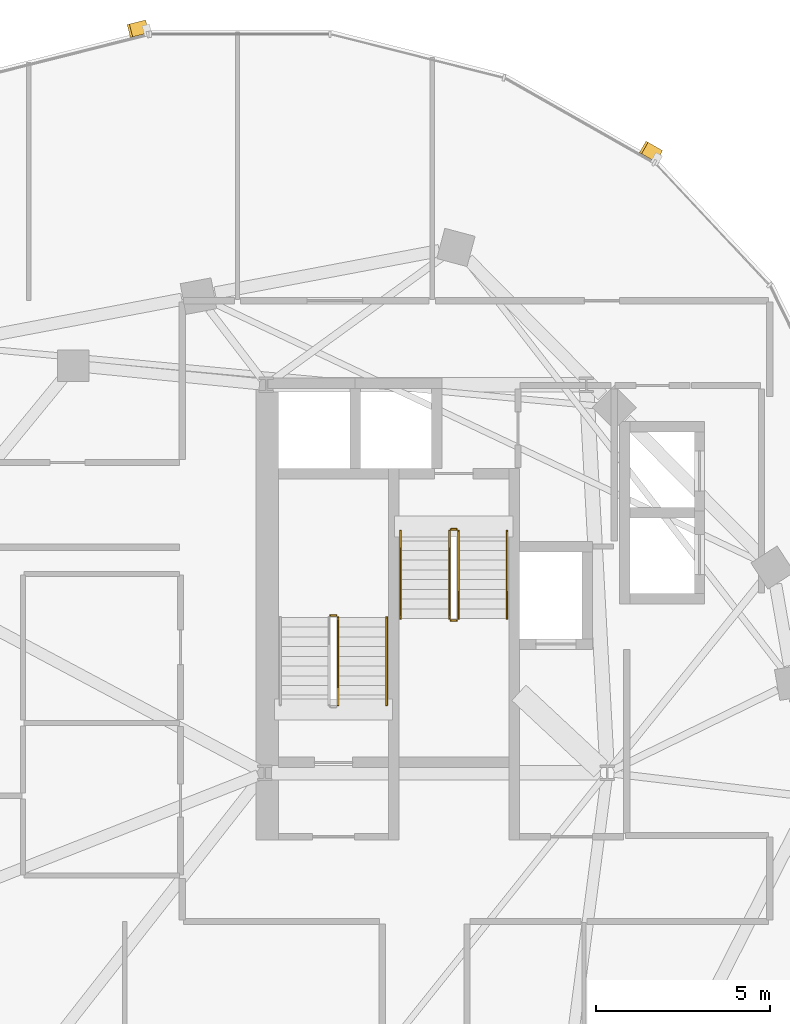
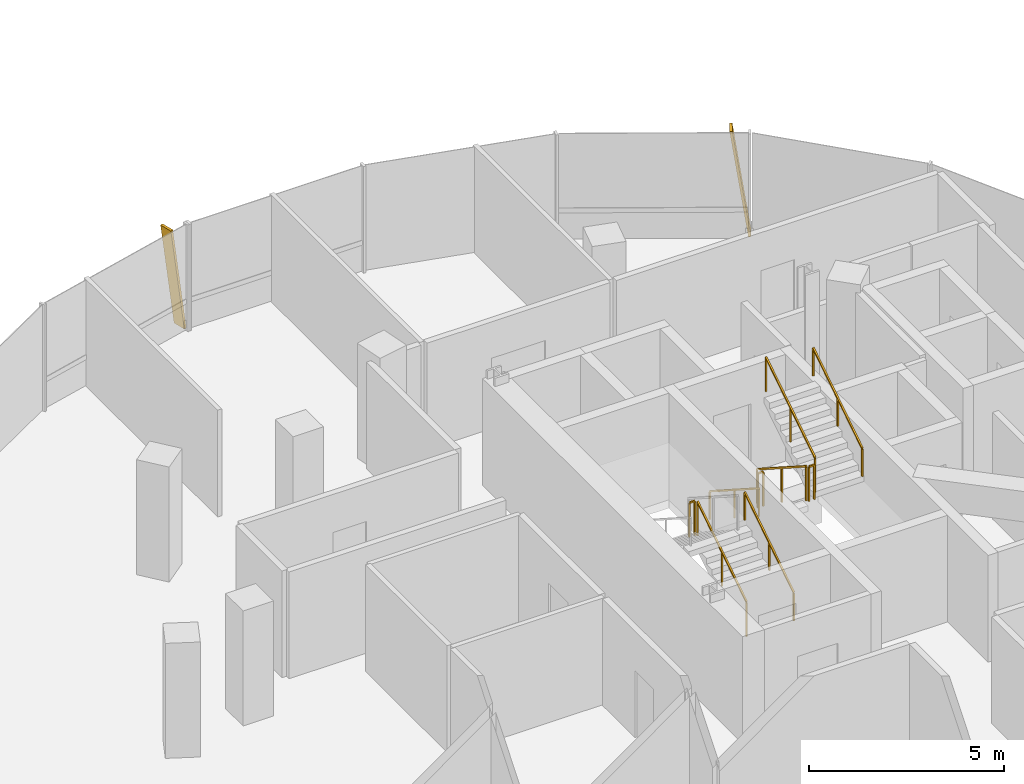
# One storey, part 23 of 25: 9 railings, 2 shading devices.
"""IFC4 building model written with IfcOpenShell, lengths in metres."""

from ifc_helpers import new_model, si_unit, direction, frame, origin, origin_2d, place, context, subcontext, project, spatial, rectangle, extrude, material, material_profile, profile_set, type_object, element, save


model = new_model("IFC4")

# Units and contexts
model_context = context("Model", 3, precision=1e-05, world=origin(), true_north=direction((0.0, 1.0)))
body_context = subcontext(model_context, "Body", "Model", "MODEL_VIEW")
ifc_project = project(units=[si_unit("LENGTHUNIT", "METRE"), si_unit("AREAUNIT", "SQUARE_METRE"), si_unit("VOLUMEUNIT", "CUBIC_METRE"), si_unit("PLANEANGLEUNIT", "RADIAN"), si_unit("MASSUNIT", "GRAM", prefix="KILO"), si_unit("THERMODYNAMICTEMPERATUREUNIT", "KELVIN"), si_unit("POWERUNIT", "WATT")], contexts=[model_context])

# Site, building, storey
site_placement = place(None, origin())
site = spatial("IfcSite", under=ifc_project, at=site_placement, CompositionType="ELEMENT")
building_placement = place(site_placement, origin())
building = spatial("IfcBuilding", under=site, at=building_placement, Name="Cundina Bronze Exchange", CompositionType="ELEMENT")
storey_placement = place(building_placement, frame((0.0, 0.0, 191.800048828125)))
storey = spatial("IfcBuildingStorey", under=building, at=storey_placement, Name="L50", CompositionType="ELEMENT", Elevation=191.800048828125)

# Railings
ifc_material_1 = material(Name="Steel ASTM A36 Painted", Category="steel")
railing_type_1 = type_object("IfcRailingType", Name="RLG-HND-900", PredefinedType="HANDRAIL", material=ifc_material_1)
railing_1_placement = place(storey_placement, frame((-27.7900390625, 5.85009765625, 0.179931640625)))
element("IfcRailing", 1, at=railing_1_placement, inside=storey, type_object=railing_type_1, Name="L50 ST-W1 stair handrail 1", PredefinedType="HANDRAIL", context=body_context, shape_type="SweptSolid", body=[
    extrude(rectangle(XDim=0.048095703125, YDim=0.048095703125, at=origin_2d()), frame((0.0, 0.0, 0.8759765625), z_axis=(0.0, 0.841162588446, 0.540782303519), x_axis=(-1.0, 0.0, 0.0)), (0.0, 0.0, 1.0), 2.995849609375),
    extrude(rectangle(XDim=0.0419921875, YDim=0.0419921875, at=origin_2d()), origin(), (0.0, 0.0, 1.0), 0.851806640625),
    extrude(rectangle(XDim=0.0419921875, YDim=0.0419921875, at=origin_2d()), frame((0.0, 1.260009765625, 0.81005859375)), (0.0, 0.0, 1.0), 0.851806640625),
    extrude(rectangle(XDim=0.0419921875, YDim=0.0419921875, at=origin_2d()), frame((0.0, 2.52001953125, 1.6201171875)), (0.0, 0.0, 1.0), 0.851806640625),
])
railing_2_placement = place(storey_placement, frame((-27.389892578125, 10.85009765625, 0.179931640625)))
element("IfcRailing", 2, at=railing_2_placement, inside=storey, type_object=railing_type_1, Name="L50 ST-W2 stair handrail 1", PredefinedType="HANDRAIL", context=body_context, shape_type="SweptSolid", body=[
    extrude(rectangle(XDim=0.048095703125, YDim=0.048095703125, at=origin_2d()), frame((0.0, 0.0, 0.8759765625), z_axis=(0.0, -0.841162588446, 0.540782303519), x_axis=(1.0, 0.0, 0.0)), (0.0, 0.0, 1.0), 2.995849609375),
    extrude(rectangle(XDim=0.0419921875, YDim=0.0419921875, at=origin_2d()), origin(), (0.0, 0.0, 1.0), 0.851806640625),
    extrude(rectangle(XDim=0.0419921875, YDim=0.0419921875, at=origin_2d()), frame((0.0, -1.260009765625, 0.81005859375)), (0.0, 0.0, 1.0), 0.851806640625),
    extrude(rectangle(XDim=0.0419921875, YDim=0.0419921875, at=origin_2d()), frame((0.0, -2.52001953125, 1.6201171875)), (0.0, 0.0, 1.0), 0.851806640625),
])
railing_3_placement = place(storey_placement, frame((-24.330078125, 8.330078125, 1.97998046875)))
element("IfcRailing", 3, at=railing_3_placement, inside=storey, type_object=railing_type_1, Name="L50 ST-W2 stair handrail 2", PredefinedType="HANDRAIL", context=body_context, shape_type="SweptSolid", body=[
    extrude(rectangle(XDim=0.048095703125, YDim=0.048095703125, at=origin_2d()), frame((0.0, 0.0, 0.8759765625), z_axis=(0.0, 0.841199657755, 0.540724639528), x_axis=(-1.0, 0.0, 0.0)), (0.0, 0.0, 1.0), 2.995849609375),
    extrude(rectangle(XDim=0.0419921875, YDim=0.0419921875, at=origin_2d()), origin(), (0.0, 0.0, 1.0), 0.851806640625),
    extrude(rectangle(XDim=0.0419921875, YDim=0.0419921875, at=origin_2d()), frame((0.0, 1.260009765625, 0.81005859375)), (0.0, 0.0, 1.0), 0.851806640625),
    extrude(rectangle(XDim=0.0419921875, YDim=0.0419921875, at=origin_2d()), frame((0.0, 2.52001953125, 1.619873046875)), (0.0, 0.0, 1.0), 0.851806640625),
])
railing_type_2 = type_object("IfcRailingType", Name="RLG-STG-1100", PredefinedType="GUARDRAIL", material=ifc_material_1)
railing_4_placement = place(storey_placement, frame((-29.18994140625, 5.85009765625, 0.179931640625)))
element("IfcRailing", 4, at=railing_4_placement, inside=storey, type_object=railing_type_2, Name="L50 ST-W1 stair guard 1", PredefinedType="GUARDRAIL", context=body_context, shape_type="SweptSolid", body=[
    extrude(rectangle(XDim=0.048095703125, YDim=0.048095703125, at=origin_2d()), frame((0.0, 0.0, 1.076171875), z_axis=(0.0, 0.841162588446, 0.540782303519), x_axis=(-1.0, 0.0, 0.0)), (0.0, 0.0, 1.0), 2.995849609375),
    extrude(rectangle(XDim=0.0419921875, YDim=0.0419921875, at=origin_2d()), origin(), (0.0, 0.0, 1.0), 1.052001953125),
    extrude(rectangle(XDim=0.0419921875, YDim=0.0419921875, at=origin_2d()), frame((0.0, 1.260009765625, 0.81005859375)), (0.0, 0.0, 1.0), 1.052001953125),
    extrude(rectangle(XDim=0.0419921875, YDim=0.0419921875, at=origin_2d()), frame((0.0, 2.52001953125, 1.6201171875)), (0.0, 0.0, 1.0), 1.052001953125),
])
railing_5_placement = place(storey_placement, frame((-29.239990234375, 8.419921875, 1.800048828125)))
element("IfcRailing", 5, at=railing_5_placement, inside=storey, type_object=railing_type_2, Name="L50 ST-W1 stair guard 2", PredefinedType="GUARDRAIL", context=body_context, shape_type="SweptSolid", body=[
    extrude(rectangle(XDim=0.048095703125, YDim=0.048095703125, at=origin_2d()), frame((0.0, 0.0, 1.076171875), z_axis=(-1.0, 0.0, 0.0), x_axis=(0.0, -1.0, 0.0)), (0.0, 0.0, 1.0), 0.159912109375),
    extrude(rectangle(XDim=0.0419921875, YDim=0.0419921875, at=origin_2d()), origin(), (0.0, 0.0, 1.0), 1.052001953125),
    extrude(rectangle(XDim=0.0419921875, YDim=0.0419921875, at=origin_2d()), frame((-0.159912109375, 0.0, 0.0)), (0.0, 0.0, 1.0), 1.052001953125),
])
railing_6_placement = place(storey_placement, frame((-25.989990234375, 10.85009765625, 0.179931640625)))
element("IfcRailing", 6, at=railing_6_placement, inside=storey, type_object=railing_type_2, Name="L50 ST-W2 stair guard 1", PredefinedType="GUARDRAIL", context=body_context, shape_type="SweptSolid", body=[
    extrude(rectangle(XDim=0.048095703125, YDim=0.048095703125, at=origin_2d()), frame((0.0, 0.0, 1.076171875), z_axis=(0.0, -0.841162588446, 0.540782303519), x_axis=(1.0, 0.0, 0.0)), (0.0, 0.0, 1.0), 2.995849609375),
    extrude(rectangle(XDim=0.0419921875, YDim=0.0419921875, at=origin_2d()), origin(), (0.0, 0.0, 1.0), 1.052001953125),
    extrude(rectangle(XDim=0.0419921875, YDim=0.0419921875, at=origin_2d()), frame((0.0, -1.260009765625, 0.81005859375)), (0.0, 0.0, 1.0), 1.052001953125),
    extrude(rectangle(XDim=0.0419921875, YDim=0.0419921875, at=origin_2d()), frame((0.0, -2.52001953125, 1.6201171875)), (0.0, 0.0, 1.0), 1.052001953125),
])
railing_7_placement = place(storey_placement, frame((-25.93994140625, 8.280029296875, 1.800048828125)))
element("IfcRailing", 7, at=railing_7_placement, inside=storey, type_object=railing_type_2, Name="L50 ST-W2 stair guard 2", PredefinedType="GUARDRAIL", context=body_context, shape_type="SweptSolid", body=[
    extrude(rectangle(XDim=0.048095703125, YDim=0.048095703125, at=origin_2d()), frame((0.0, 0.0, 1.076171875), z_axis=(1.0, 0.0, 0.0), x_axis=(0.0, 1.0, 0.0)), (0.0, 0.0, 1.0), 0.159912109375),
    extrude(rectangle(XDim=0.0419921875, YDim=0.0419921875, at=origin_2d()), origin(), (0.0, 0.0, 1.0), 1.052001953125),
    extrude(rectangle(XDim=0.0419921875, YDim=0.0419921875, at=origin_2d()), frame((0.159912109375, 0.0, 0.0)), (0.0, 0.0, 1.0), 1.052001953125),
])
railing_8_placement = place(storey_placement, frame((-25.72998046875, 8.330078125, 1.97998046875)))
element("IfcRailing", 8, at=railing_8_placement, inside=storey, type_object=railing_type_2, Name="L50 ST-W2 stair guard 3", PredefinedType="GUARDRAIL", context=body_context, shape_type="SweptSolid", body=[
    extrude(rectangle(XDim=0.048095703125, YDim=0.048095703125, at=origin_2d()), frame((0.0, 0.0, 1.076171875), z_axis=(0.0, 0.841199657755, 0.540724639528), x_axis=(-1.0, 0.0, 0.0)), (0.0, 0.0, 1.0), 2.995849609375),
    extrude(rectangle(XDim=0.0419921875, YDim=0.0419921875, at=origin_2d()), origin(), (0.0, 0.0, 1.0), 1.052001953125),
    extrude(rectangle(XDim=0.0419921875, YDim=0.0419921875, at=origin_2d()), frame((0.0, 1.260009765625, 0.81005859375)), (0.0, 0.0, 1.0), 1.052001953125),
    extrude(rectangle(XDim=0.0419921875, YDim=0.0419921875, at=origin_2d()), frame((0.0, 2.52001953125, 1.619873046875)), (0.0, 0.0, 1.0), 1.052001953125),
])
railing_9_placement = place(storey_placement, frame((-25.93994140625, 10.89990234375, 0.0)))
element("IfcRailing", 9, at=railing_9_placement, inside=storey, type_object=railing_type_2, Name="L50 ST-W2 stair guard 4", PredefinedType="GUARDRAIL", context=body_context, shape_type="SweptSolid", body=[
    extrude(rectangle(XDim=0.048095703125, YDim=0.048095703125, at=origin_2d()), frame((0.0, 0.0, 1.076171875), z_axis=(1.0, 0.0, 0.0), x_axis=(0.0, 1.0, 0.0)), (0.0, 0.0, 1.0), 0.159912109375),
    extrude(rectangle(XDim=0.0419921875, YDim=0.0419921875, at=origin_2d()), origin(), (0.0, 0.0, 1.0), 1.052001953125),
    extrude(rectangle(XDim=0.0419921875, YDim=0.0419921875, at=origin_2d()), frame((0.159912109375, 0.0, 0.0)), (0.0, 0.0, 1.0), 1.052001953125),
])

# Shading devices
ifc_material_2 = material(Name="Anodised Bronze Aluminium 6063-T6", Category="aluminium")
ifc_material_profile = material_profile(ifc_material_2, rectangle(XDim=0.070068359375, YDim=0.3798828125, at=origin_2d()), Name="FIN70X380", Category="aluminium")
ifc_profile_set = profile_set([ifc_material_profile], Name="Anodised Bronze Aluminium 6063-T6")
shading_device_type = type_object("IfcShadingDeviceType", Name="SHD-FIN-BRZ380", PredefinedType="USERDEFINED", material=ifc_profile_set)
for number, where, z_axis, x_axis, name in (
    (10, (-19.984375, 21.635498046875, 0.02001953125), (-0.125189514072, 0.071087145125, 0.989582843103), (0.860526986551, -0.488638423358, 0.143964567292), "L50 Diagonal Bronze Solar Fin 5"),
    (11, (-34.705810546875, 25.344482421875, 0.02001953125), (-0.139611891367, -0.03514090606, 0.989582556693), (0.959650042543, 0.24154799183, 0.143966536007), "L50 Diagonal Bronze Solar Fin 1"),
):
    element("IfcShadingDevice", number, at=place(storey_placement, frame(where, z_axis=z_axis, x_axis=x_axis)), inside=storey, type_object=shading_device_type, Name=name, ObjectType="FIN", PredefinedType="USERDEFINED", context=body_context, shape_type="SweptSolid", body=[
        extrude(rectangle(XDim=0.070068359375, YDim=0.3798828125, at=origin_2d()), origin(), (0.0, 0.0, 1.0), 3.334716796875),
    ])

save(model, "model.ifc")
